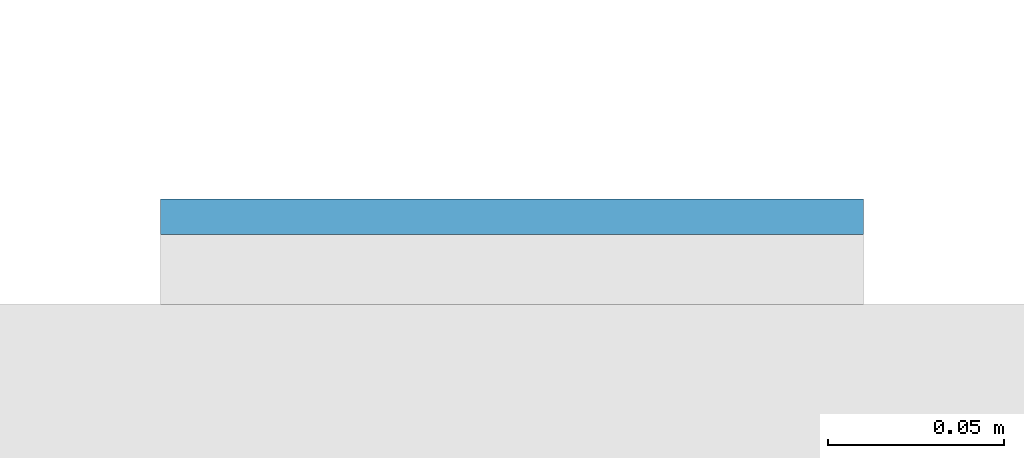
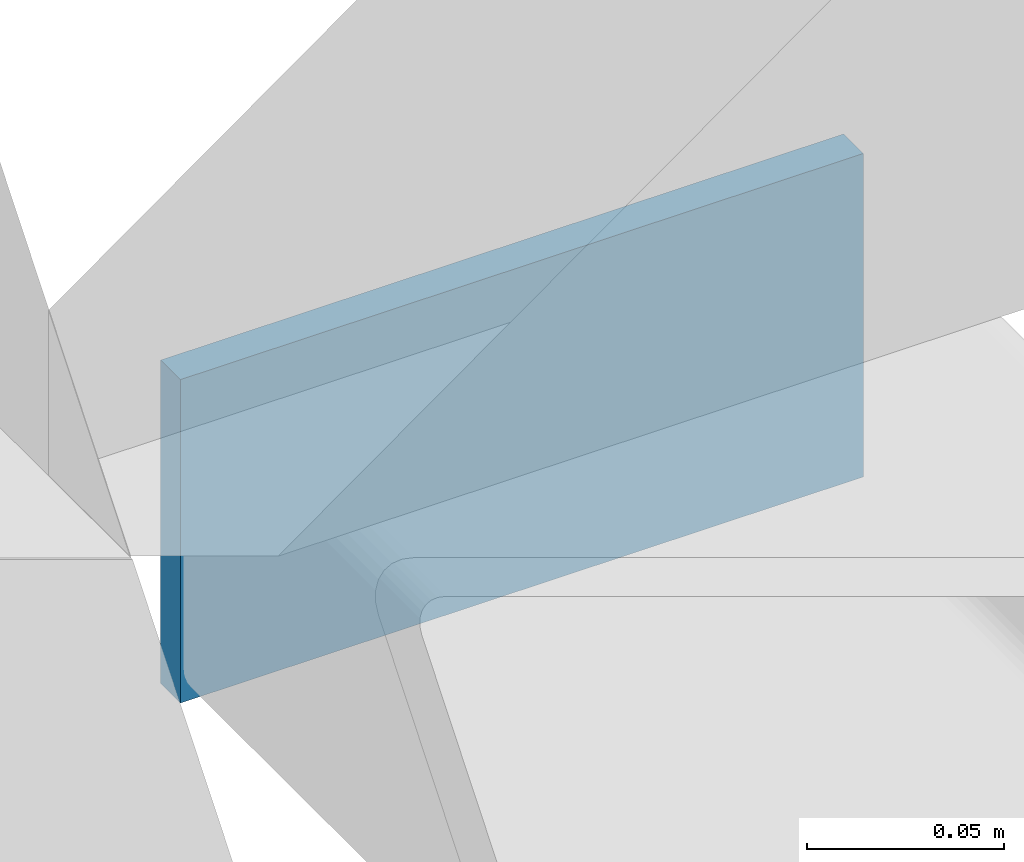
# One storey, part 10 of 15: 1 plate.
"""IFC4 building model written with IfcOpenShell, lengths in metres."""

from ifc_helpers import new_model, si_unit, direction, frame, origin, origin_2d, place, context, subcontext, project, spatial, rectangle, extrude, material, layer, layer_set, type_object, element, save


model = new_model("IFC4")

# Units and contexts
model_context = context("Model", 3, precision=1e-05, world=origin(), true_north=direction((0.0, 1.0)))
body_context = subcontext(model_context, "Body", "Model", "MODEL_VIEW")
ifc_project = project(units=[si_unit("LENGTHUNIT", "METRE"), si_unit("AREAUNIT", "SQUARE_METRE"), si_unit("VOLUMEUNIT", "CUBIC_METRE"), si_unit("PLANEANGLEUNIT", "RADIAN"), si_unit("MASSUNIT", "GRAM", prefix="KILO")], contexts=[model_context])

# Site, building, storey
site_placement = place(None, origin())
site = spatial("IfcSite", under=ifc_project, at=site_placement, CompositionType="ELEMENT")
building_placement = place(site_placement, origin())
building = spatial("IfcBuilding", under=site, at=building_placement, Name="Cleftline Residences", CompositionType="ELEMENT")
storey_placement = place(building_placement, frame((0.0, 0.0, 171.800048828125)))
storey = spatial("IfcBuildingStorey", under=building, at=storey_placement, Name="L45", CompositionType="ELEMENT", Elevation=171.800048828125)

# Plate
ifc_material = material(Name="Steel S355, hot-dip galvanised", Category="steel")
ifc_layer = layer(ifc_material, 0.010009765625)
ifc_layer_set = layer_set([ifc_layer], Name="BAGUETTE CARRIER END PLATE 200X100X10")
plate_type = type_object("IfcPlateType", Name="BAGUETTE CARRIER END PLATE 200X100X10", PredefinedType="USERDEFINED", material=ifc_layer_set)
plate_placement = place(storey_placement, frame((66.85009765625, 44.304931640625, -0.10009765625), z_axis=(0.0, 0.0, 1.0), x_axis=(1.0, 0.0, 0.0)))
element("IfcPlate", 1, at=plate_placement, inside=storey, type_object=plate_type, Name="Baguette carrier end plate", ObjectType="BAGUETTE CARRIER END PLATE", PredefinedType="USERDEFINED", context=body_context, shape_type="SweptSolid", body=[
    extrude(rectangle(XDim=0.199951171875, YDim=0.010009765625, at=origin_2d()), origin(), (0.0, 0.0, 1.0), 0.10009765625),
])

save(model, "model.ifc")
